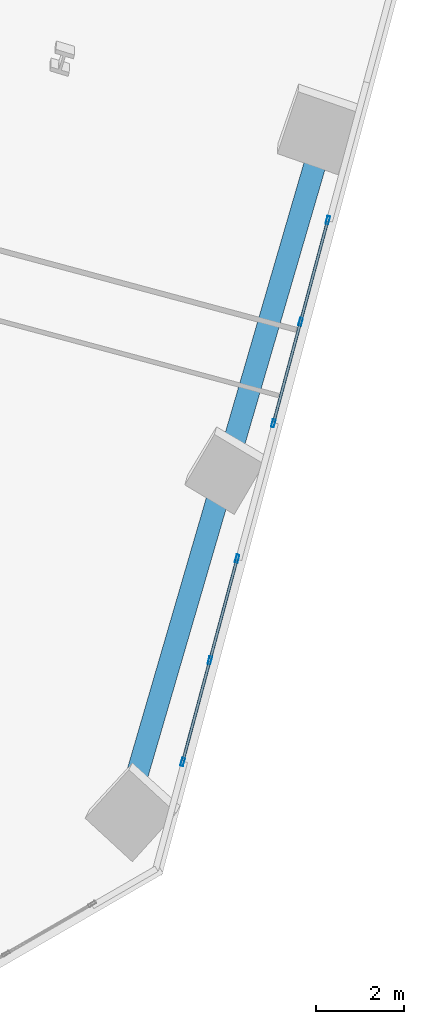
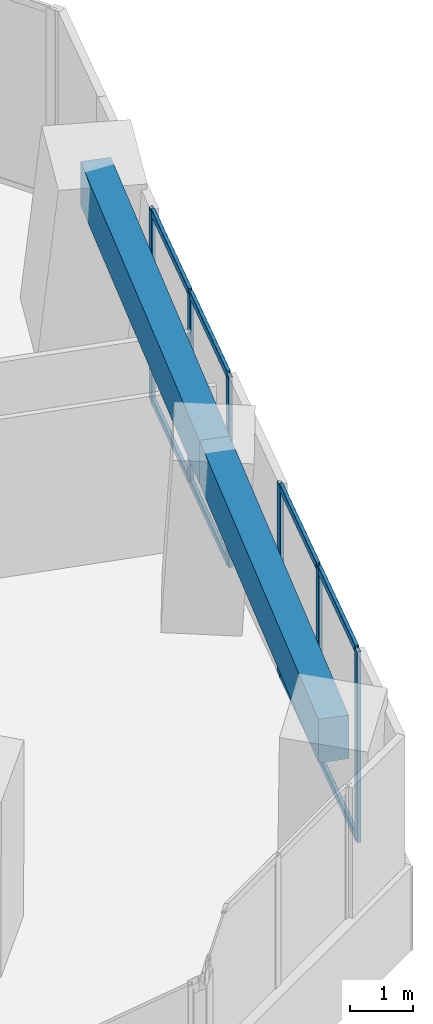
# One storey, part 9 of 26: 14 members, 2 beams, 2 elements without a shape of their own.
"""IFC4 building model written with IfcOpenShell, lengths in metres."""

from ifc_helpers import new_model, si_unit, direction, frame, origin, origin_2d, place, context, subcontext, project, spatial, rectangle, hollow_rectangle, extrude, source, transform, mapped, material, material_profile, profile_set, type_object, element, aggregate, save


model = new_model("IFC4")

# Units and contexts
model_context = context("Model", 3, precision=1e-05, world=origin(), true_north=direction((0.0, 1.0)))
body_context = subcontext(model_context, "Body", "Model", "MODEL_VIEW")
ifc_project = project(units=[si_unit("LENGTHUNIT", "METRE"), si_unit("AREAUNIT", "SQUARE_METRE"), si_unit("VOLUMEUNIT", "CUBIC_METRE"), si_unit("PLANEANGLEUNIT", "RADIAN"), si_unit("MASSUNIT", "GRAM", prefix="KILO")], contexts=[model_context])

# Site, building, storey
site_placement = place(None, origin())
site = spatial("IfcSite", under=ifc_project, at=site_placement, CompositionType="ELEMENT")
building_placement = place(site_placement, origin())
building = spatial("IfcBuilding", under=site, at=building_placement, Name="Torre Montelarca", CompositionType="ELEMENT")
storey_placement = place(building_placement, frame((0.0, 0.0, 104.199951171875)))
storey = spatial("IfcBuildingStorey", under=building, at=storey_placement, Name="L23", CompositionType="ELEMENT", Elevation=104.199951171875)

# Beams
ifc_material_1 = material(Name="Concrete C55/67", Category="concrete")
ifc_material_profile_1 = material_profile(ifc_material_1, rectangle(XDim=0.5, YDim=0.85009765625, at=origin_2d()), Name="RCB500X850", Category="concrete")
ifc_profile_set_1 = profile_set([ifc_material_profile_1], Name="Concrete C55/67")
beam_type = type_object("IfcBeamType", Name="BM-SP-RC850-EXT", PredefinedType="SPANDREL", material=ifc_profile_set_1)
shared_shape_1 = source(origin(), body_context, "Body", "SweptSolid", [
    extrude(rectangle(XDim=0.5, YDim=0.85009765625, at=origin_2d()), origin(), (0.0, 0.0, 1.0), 8.0),
])
for number, where, z_axis, x_axis, name in (
    (1, (56.223388671875, 13.546142578125, 3.53515625), (0.279816010262, 0.960053644544, 0.0), (-0.960053644544, 0.279816010262, 0.0), "L23 Grid Girder Y 24.0-32.0 at X=60.0"),
    (2, (58.4619140625, 21.2265625, 3.53515625), (0.279844138078, 0.960045445999, 0.0), (-0.960045445999, 0.279844138078, 0.0), "L23 Grid Girder Y 32.0-40.0 at X=60.0"),
):
    element("IfcBeam", number, at=place(storey_placement, frame(where, z_axis=z_axis, x_axis=x_axis)), inside=storey, type_object=beam_type, Name=name, PredefinedType="SPANDREL", context=body_context, shape_type="MappedRepresentation", body=[
        mapped(shared_shape_1, transform((0.0, 0.0, 0.0), scale=1.0)),
    ])

# Curtain wall, members
ifc_material_2 = material(Name="Insulated low-E laminated glass", Category="glass")
curtain_wall_type = type_object("IfcCurtainWallType", Name="CW-SYS-Z1", PredefinedType="USERDEFINED", material=ifc_material_2)
curtain_wall_1_placement = place(storey_placement, origin())
curtain_wall_1 = element("IfcCurtainWall", 3, at=curtain_wall_1_placement, inside=storey, type_object=curtain_wall_type, Name="L23 Curtain Wall Run CW-T3-L23-E06-B1", ObjectType="UNITISED GLAZING", PredefinedType="USERDEFINED")
ifc_material_3 = material(Name="Anodised aluminium AA 6063-T6", Category="aluminium")
ifc_material_profile_2 = material_profile(ifc_material_3, hollow_rectangle(XDim=0.06494140625, YDim=0.139892578125, WallThickness=0.00390625, InnerFilletRadius=0.00390625, OuterFilletRadius=0.008056640625, at=origin_2d()), Name="ALU65X140X4", Category="aluminium")
ifc_profile_set_2 = profile_set([ifc_material_profile_2], Name="Anodised aluminium AA 6063-T6")
member_type_1 = type_object("IfcMemberType", Name="CWT-ALU140", PredefinedType="USERDEFINED", material=ifc_profile_set_2)
shared_shape_2 = source(origin(), body_context, "Body", "SweptSolid", [
    extrude(hollow_rectangle(XDim=0.06494140625, YDim=0.139892578125, WallThickness=0.00390625, InnerFilletRadius=0.00390625, OuterFilletRadius=0.008056640625, at=origin_2d()), origin(), (0.0, 0.0, 1.0), 2.31494140625),
])
member_1_placement = place(storey_placement, frame((58.30615234375, 17.634521484375, 0.032470703125), z_axis=(0.258804614707, 0.965929692786, 0.0), x_axis=(-0.965929692786, 0.258804614707, 0.0)))
member_1 = element("IfcMember", 4, at=member_1_placement, type_object=member_type_1, Name="CW transom 2.1", ObjectType="TRANSOM", PredefinedType="USERDEFINED", context=body_context, shape_type="MappedRepresentation", body=[
    mapped(shared_shape_2, transform((0.0, 0.0, 0.0), scale=1.0)),
])
member_2_placement = place(storey_placement, frame((58.30615234375, 17.634521484375, 3.6875), z_axis=(0.258804614707, 0.965929692786, 0.0), x_axis=(-0.965929692786, 0.258804614707, 0.0)))
member_2 = element("IfcMember", 5, at=member_2_placement, type_object=member_type_1, Name="CW transom 2.2", ObjectType="TRANSOM", PredefinedType="USERDEFINED", context=body_context, shape_type="MappedRepresentation", body=[
    mapped(shared_shape_2, transform((0.0, 0.0, 0.0), scale=1.0)),
])
shared_shape_3 = source(origin(), body_context, "Body", "SweptSolid", [
    extrude(hollow_rectangle(XDim=0.06494140625, YDim=0.139892578125, WallThickness=0.00390625, InnerFilletRadius=0.00390625, OuterFilletRadius=0.008056640625, at=origin_2d()), origin(), (0.0, 0.0, 1.0), 2.315185546875),
])
member_3_placement = place(storey_placement, frame((57.690185546875, 15.33544921875, 0.032470703125), z_axis=(0.258778253072, 0.965936755558, 0.0), x_axis=(-0.965936755558, 0.258778253072, 0.0)))
member_3 = element("IfcMember", 6, at=member_3_placement, type_object=member_type_1, Name="CW transom 1.1", ObjectType="TRANSOM", PredefinedType="USERDEFINED", context=body_context, shape_type="MappedRepresentation", body=[
    mapped(shared_shape_3, transform((0.0, 0.0, 0.0), scale=1.0)),
])
member_4_placement = place(storey_placement, frame((57.690185546875, 15.33544921875, 3.6875), z_axis=(0.258778253072, 0.965936755558, 0.0), x_axis=(-0.965936755558, 0.258778253072, 0.0)))
member_4 = element("IfcMember", 7, at=member_4_placement, type_object=member_type_1, Name="CW transom 1.2", ObjectType="TRANSOM", PredefinedType="USERDEFINED", context=body_context, shape_type="MappedRepresentation", body=[
    mapped(shared_shape_3, transform((0.0, 0.0, 0.0), scale=1.0)),
])

curtain_wall_2_placement = place(storey_placement, origin())
curtain_wall_2 = element("IfcCurtainWall", 8, at=curtain_wall_2_placement, inside=storey, type_object=curtain_wall_type, Name="L23 Curtain Wall Run CW-T3-L23-E06-B2", ObjectType="UNITISED GLAZING", PredefinedType="USERDEFINED")
shared_shape_4 = source(origin(), body_context, "Body", "SweptSolid", [
    extrude(hollow_rectangle(XDim=0.06494140625, YDim=0.139892578125, WallThickness=0.00390625, InnerFilletRadius=0.00390625, OuterFilletRadius=0.008056640625, at=origin_2d()), origin(), (0.0, 0.0, 1.0), 2.314208984375),
])
member_5_placement = place(storey_placement, frame((59.7412109375, 22.990478515625, 0.032470703125), z_axis=(0.258785302394, 0.965934866989, 0.0), x_axis=(-0.965934866989, 0.258785302394, 0.0)))
member_5 = element("IfcMember", 9, at=member_5_placement, type_object=member_type_1, Name="CW transom 1.1", ObjectType="TRANSOM", PredefinedType="USERDEFINED", context=body_context, shape_type="MappedRepresentation", body=[
    mapped(shared_shape_4, transform((0.0, 0.0, 0.0), scale=1.0)),
])
member_6_placement = place(storey_placement, frame((59.7412109375, 22.990478515625, 3.6875), z_axis=(0.258785302394, 0.965934866989, 0.0), x_axis=(-0.965934866989, 0.258785302394, 0.0)))
member_6 = element("IfcMember", 10, at=member_6_placement, type_object=member_type_1, Name="CW transom 1.2", ObjectType="TRANSOM", PredefinedType="USERDEFINED", context=body_context, shape_type="MappedRepresentation", body=[
    mapped(shared_shape_4, transform((0.0, 0.0, 0.0), scale=1.0)),
])
member_7_placement = place(storey_placement, frame((60.35693359375, 25.28857421875, 0.032470703125), z_axis=(0.258883730688, 0.965908491517, 0.0), x_axis=(-0.965908491517, 0.258883730688, 0.0)))
member_7 = element("IfcMember", 11, at=member_7_placement, type_object=member_type_1, Name="CW transom 2.1", ObjectType="TRANSOM", PredefinedType="USERDEFINED", context=body_context, shape_type="MappedRepresentation", body=[
    mapped(shared_shape_4, transform((0.0, 0.0, 0.0), scale=1.0)),
])
member_8_placement = place(storey_placement, frame((60.35693359375, 25.28857421875, 3.6875), z_axis=(0.258883730688, 0.965908491517, 0.0), x_axis=(-0.965908491517, 0.258883730688, 0.0)))
member_8 = element("IfcMember", 12, at=member_8_placement, type_object=member_type_1, Name="CW transom 2.2", ObjectType="TRANSOM", PredefinedType="USERDEFINED", context=body_context, shape_type="MappedRepresentation", body=[
    mapped(shared_shape_4, transform((0.0, 0.0, 0.0), scale=1.0)),
])

# Member
ifc_material_profile_3 = material_profile(ifc_material_3, hollow_rectangle(XDim=0.06494140625, YDim=0.179931640625, WallThickness=0.00390625, InnerFilletRadius=0.00390625, OuterFilletRadius=0.008056640625, at=origin_2d()), Name="ALU65X180X4", Category="aluminium")
ifc_profile_set_3 = profile_set([ifc_material_profile_3], Name="Anodised aluminium AA 6063-T6")
member_type_2 = type_object("IfcMemberType", Name="CWM-ALU180", PredefinedType="MULLION", material=ifc_profile_set_3)
shared_shape_5 = source(origin(), body_context, "Body", "SweptSolid", [
    extrude(hollow_rectangle(XDim=0.06494140625, YDim=0.179931640625, WallThickness=0.00390625, InnerFilletRadius=0.00390625, OuterFilletRadius=0.008056640625, at=origin_2d()), origin(), (0.0, 0.0, 1.0), 3.719970703125),
])
member_9_placement = place(storey_placement, frame((57.681640625, 15.30419921875, 0.0), z_axis=(0.0, 0.0, 1.0), x_axis=(-0.96592742215, 0.258813089195, 0.0)))
member_9 = element("IfcMember", 13, at=member_9_placement, type_object=member_type_2, Name="CW mullion 1", PredefinedType="MULLION", context=body_context, shape_type="MappedRepresentation", body=[
    mapped(shared_shape_5, transform((0.0, 0.0, 0.0), scale=1.0)),
])

member_10_placement = place(storey_placement, frame((58.297607421875, 17.60302734375, 0.0), z_axis=(0.0, 0.0, 1.0), x_axis=(-0.96592742215, 0.258813089195, 0.0)))
member_10 = element("IfcMember", 14, at=member_10_placement, type_object=member_type_2, Name="CW mullion 2", PredefinedType="MULLION", context=body_context, shape_type="MappedRepresentation", body=[
    mapped(shared_shape_5, transform((0.0, 0.0, 0.0), scale=1.0)),
])

member_11_placement = place(storey_placement, frame((58.91357421875, 19.902099609375, 0.0), z_axis=(0.0, 0.0, 1.0), x_axis=(-0.96592742215, 0.258813089195, 0.0)))
member_11 = element("IfcMember", 15, at=member_11_placement, type_object=member_type_2, Name="CW mullion 3", PredefinedType="MULLION", context=body_context, shape_type="MappedRepresentation", body=[
    mapped(shared_shape_5, transform((0.0, 0.0, 0.0), scale=1.0)),
])

aggregate(curtain_wall_1, [member_9, member_10, member_11, member_3, member_4, member_1, member_2])

member_12_placement = place(storey_placement, frame((59.73291015625, 22.958984375, 0.0), z_axis=(0.0, 0.0, 1.0), x_axis=(-0.965923156501, 0.258829008682, 0.0)))
member_12 = element("IfcMember", 16, at=member_12_placement, type_object=member_type_2, Name="CW mullion 1", PredefinedType="MULLION", context=body_context, shape_type="MappedRepresentation", body=[
    mapped(shared_shape_5, transform((0.0, 0.0, 0.0), scale=1.0)),
])

member_13_placement = place(storey_placement, frame((60.3486328125, 25.257080078125, 0.0), z_axis=(0.0, 0.0, 1.0), x_axis=(-0.965923156501, 0.258829008682, 0.0)))
member_13 = element("IfcMember", 17, at=member_13_placement, type_object=member_type_2, Name="CW mullion 2", PredefinedType="MULLION", context=body_context, shape_type="MappedRepresentation", body=[
    mapped(shared_shape_5, transform((0.0, 0.0, 0.0), scale=1.0)),
])

member_14_placement = place(storey_placement, frame((60.96435546875, 27.55517578125, 0.0), z_axis=(0.0, 0.0, 1.0), x_axis=(-0.965923156501, 0.258829008682, 0.0)))
member_14 = element("IfcMember", 18, at=member_14_placement, type_object=member_type_2, Name="CW mullion 3", PredefinedType="MULLION", context=body_context, shape_type="MappedRepresentation", body=[
    mapped(shared_shape_5, transform((0.0, 0.0, 0.0), scale=1.0)),
])

aggregate(curtain_wall_2, [member_12, member_13, member_14, member_5, member_6, member_7, member_8])

save(model, "model.ifc")
